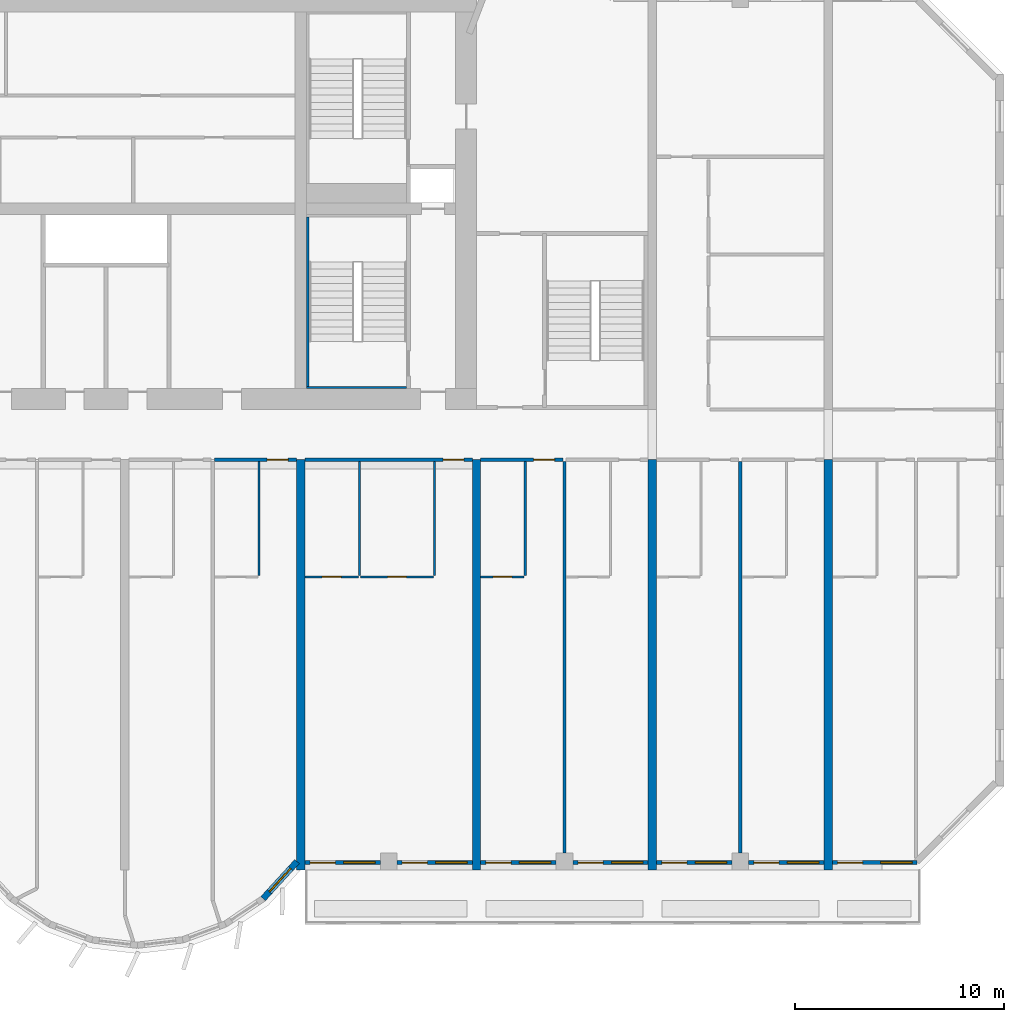
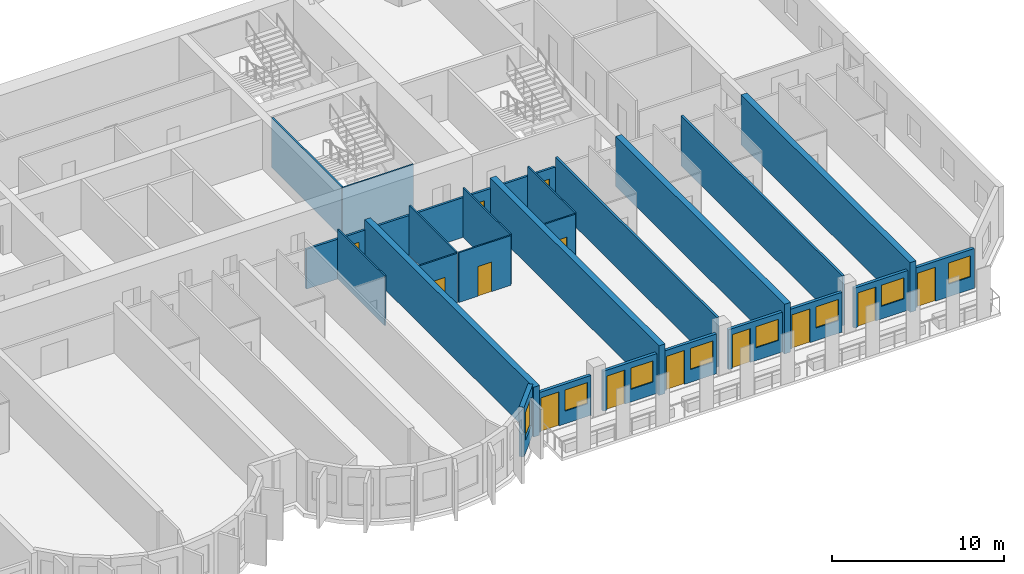
# One storey, part 8 of 14: 26 walls, 13 doors, 8 windows, 21 openings.
"""IFC4 building model written with IfcOpenShell, lengths in metres."""

from ifc_helpers import new_model, si_unit, direction, frame, frame_2d, origin, place, context, subcontext, project, spatial, rectangle, extrude, source, transform, mapped, material, layer, layer_set, type_object, element, fill, save


model = new_model("IFC4")

# Units and contexts
model_context = context("Model", 3, precision=1e-05, world=origin(), true_north=direction((0.0, 1.0)))
body_context = subcontext(model_context, "Body", "Model", "MODEL_VIEW")
ifc_project = project(units=[si_unit("LENGTHUNIT", "METRE"), si_unit("AREAUNIT", "SQUARE_METRE"), si_unit("VOLUMEUNIT", "CUBIC_METRE"), si_unit("PLANEANGLEUNIT", "RADIAN"), si_unit("MASSUNIT", "GRAM", prefix="KILO")], contexts=[model_context])

# Site, building, storey
site_placement = place(None, origin())
site = spatial("IfcSite", under=ifc_project, at=site_placement, CompositionType="ELEMENT")
building_placement = place(site_placement, origin())
building = spatial("IfcBuilding", under=site, at=building_placement, Name="Vanashikhar Sky Hotel", CompositionType="ELEMENT")
storey_placement = place(building_placement, frame((0.0, 0.0, 50.60009765625)))
storey = spatial("IfcBuildingStorey", under=building, at=storey_placement, Name="L11", CompositionType="ELEMENT", Elevation=50.60009765625)

# Walls
ifc_material_1 = material(Name="Concrete M80", Category="concrete")
ifc_layer_1 = layer(ifc_material_1, 0.39990234375)
ifc_layer_set_1 = layer_set([ifc_layer_1], Name="RC shear wall 400 Concrete M80")
wall_type_1 = type_object("IfcWallType", Name="RC shear wall 400 Concrete M80", PredefinedType="SHEAR", material=ifc_layer_set_1)
shared_shape_1 = source(origin(), body_context, "Body", "SweptSolid", [
    extrude(rectangle(XDim=19.60009765625, YDim=0.39990234375, at=frame_2d((9.800048828125, 0.0))), origin(), (0.0, 0.0, 1.0), 3.52001953125),
])
for number, where, z_axis, x_axis, name in (
    (1, (67.199951171875, 0.0, 0.0), (0.0, 0.0, 1.0), (0.0, 1.0, 0.0), "CW-L11-XW09-1"),
    (2, (75.60009765625, 0.0, 0.0), (0.0, 0.0, 1.0), (0.0, 1.0, 0.0), "CW-L11-XW10-1"),
    (3, (84.0, 0.0, 0.0), (0.0, 0.0, 1.0), (0.0, 1.0, 0.0), "CW-L11-XW11-1"),
    (4, (92.39990234375, 0.0, 0.0), (0.0, 0.0, 1.0), (0.0, 1.0, 0.0), "CW-L11-XW12-1"),
):
    element("IfcWall", number, at=place(storey_placement, frame(where, z_axis=z_axis, x_axis=x_axis)), inside=storey, type_object=wall_type_1, Name=name, PredefinedType="SHEAR", context=body_context, shape_type="MappedRepresentation", body=[
        mapped(shared_shape_1, transform((0.0, 0.0, 0.0), scale=1.0)),
    ])

# Wall, opening, window
ifc_material_2 = material(Name="Concrete M50", Category="concrete")
ifc_layer_2 = layer(ifc_material_2, 0.300048828125)
ifc_layer_set_2 = layer_set([ifc_layer_2], Name="Lobe wall 300")
wall_type_2 = type_object("IfcWallType", Name="Lobe wall 300", PredefinedType="SOLIDWALL", material=ifc_layer_set_2)
shared_shape_2 = source(origin(), body_context, "Body", "SweptSolid", [
    extrude(rectangle(XDim=2.398193359375, YDim=0.300048828125, at=frame_2d((1.19921875, 0.0))), origin(), (0.0, 0.0, 1.0), 3.52001953125),
])
wall_1_placement = place(storey_placement, frame((65.404296875, -1.36865234375, 0.0), z_axis=(0.0, 0.0, 1.0), x_axis=(0.675374189419, 0.737475222815, 0.0)))
wall_1 = element("IfcWall", 5, at=wall_1_placement, inside=storey, type_object=wall_type_2, Name="Lobe wall", PredefinedType="SOLIDWALL", context=body_context, shape_type="MappedRepresentation", body=[
    mapped(shared_shape_2, transform((0.0, 0.0, 0.0), scale=1.0)),
])
shared_shape_3 = source(origin(), body_context, "Body", "SweptSolid", [
    extrude(rectangle(XDim=1.5, YDim=2.0, at=frame_2d((0.75, 1.0))), frame((0.0, 0.16015625, 0.0), z_axis=(0.0, -1.0, 0.0), x_axis=(1.0, 0.0, 0.0)), (0.0, 0.0, 1.0), 0.320068359375),
])
opening_1_placement = place(wall_1_placement, frame((0.44921875, 0.0, 0.89990234375)))
opening_1 = element("IfcOpeningElement", 6, at=opening_1_placement, cuts=wall_1, Name="Opening WN-2", PredefinedType="OPENING", context=body_context, shape_type="MappedRepresentation", body=[
    mapped(shared_shape_3, transform((0.0, 0.0, 0.0), scale=1.0)),
])
ifc_material_3 = material(Name="Glass", Category="glass")
window_type_1 = type_object("IfcWindowType", Name="Lobe window 1500 x 2000", PartitioningType="SINGLE_PANEL", PredefinedType="WINDOW", material=ifc_material_3)
shared_shape_4 = source(origin(), body_context, "Body", "SweptSolid", [
    extrude(rectangle(XDim=1.5, YDim=2.0, at=frame_2d((0.75, 1.0))), frame((0.0, 0.030029296875, 0.0), z_axis=(0.0, -1.0, 0.0), x_axis=(1.0, 0.0, 0.0)), (0.0, 0.0, 1.0), 0.06005859375),
])
window_1_placement = place(opening_1_placement, origin())
window_1 = element("IfcWindow", 7, at=window_1_placement, inside=storey, type_object=window_type_1, Name="Window WN-2", OverallHeight=2.0, OverallWidth=1.5, PartitioningType="SINGLE_PANEL", PredefinedType="WINDOW", context=body_context, shape_type="MappedRepresentation", body=[
    mapped(shared_shape_4, transform((0.0, 0.0, 0.0), scale=1.0)),
])
fill(opening_1, window_1)

# Wall, openings, window, door
ifc_layer_3 = layer(ifc_material_2, 0.199951171875)
ifc_layer_set_3 = layer_set([ifc_layer_3], Name="Front window wall 200")
wall_type_3 = type_object("IfcWallType", Name="Front window wall 200", PredefinedType="SOLIDWALL", material=ifc_layer_set_3)
shared_shape_5 = source(origin(), body_context, "Body", "SweptSolid", [
    extrude(rectangle(XDim=4.054931640625, YDim=0.199951171875, at=frame_2d((2.02734375, 0.0))), origin(), (0.0, 0.0, 1.0), 2.81982421875),
])
wall_2_placement = place(storey_placement, frame((92.60009765625, 0.35009765625, 0.0), z_axis=(0.0, 0.0, 1.0), x_axis=(1.0, 0.0, 0.0)))
wall_2 = element("IfcWall", 8, at=wall_2_placement, inside=storey, type_object=wall_type_3, Name="Front window wall", PredefinedType="SOLIDWALL", context=body_context, shape_type="MappedRepresentation", body=[
    mapped(shared_shape_5, transform((0.0, 0.0, 0.0), scale=1.0)),
])
shared_shape_6 = source(origin(), body_context, "Body", "SweptSolid", [
    extrude(rectangle(XDim=1.199951171875, YDim=2.39990234375, at=frame_2d((0.60009765625, 1.199951171875))), frame((0.0, 0.10986328125, 0.0), z_axis=(0.0, -1.0, 0.0), x_axis=(1.0, 0.0, 0.0)), (0.0, 0.0, 1.0), 0.219970703125),
])
opening_2_placement = place(wall_2_placement, frame((0.25, 0.0, 0.0)))
opening_2 = element("IfcOpeningElement", 9, at=opening_2_placement, cuts=wall_2, Name="Opening BD-14", PredefinedType="OPENING", context=body_context, shape_type="MappedRepresentation", body=[
    mapped(shared_shape_6, transform((0.0, 0.0, 0.0), scale=1.0)),
])
shared_shape_7 = source(origin(), body_context, "Body", "SweptSolid", [
    extrude(rectangle(XDim=1.5, YDim=1.5, at=frame_2d((0.75, 0.75))), frame((0.0, 0.10986328125, 0.0), z_axis=(0.0, -1.0, 0.0), x_axis=(1.0, 0.0, 0.0)), (0.0, 0.0, 1.0), 0.219970703125),
])
opening_3_placement = place(wall_2_placement, frame((2.304931640625, 0.0, 0.89990234375)))
opening_3 = element("IfcOpeningElement", 10, at=opening_3_placement, cuts=wall_2, Name="Opening WN-1", PredefinedType="OPENING", context=body_context, shape_type="MappedRepresentation", body=[
    mapped(shared_shape_7, transform((0.0, 0.0, 0.0), scale=1.0)),
])
window_type_2 = type_object("IfcWindowType", Name="Window 1500 x 1500", PartitioningType="SINGLE_PANEL", PredefinedType="WINDOW", material=ifc_material_3)
shared_shape_8 = source(origin(), body_context, "Body", "SweptSolid", [
    extrude(rectangle(XDim=1.5, YDim=1.5, at=frame_2d((0.75, 0.75))), frame((0.0, 0.030029296875, 0.0), z_axis=(0.0, -1.0, 0.0), x_axis=(1.0, 0.0, 0.0)), (0.0, 0.0, 1.0), 0.06005859375),
])
window_2_placement = place(opening_3_placement, origin())
window_2 = element("IfcWindow", 11, at=window_2_placement, inside=storey, type_object=window_type_2, Name="Window WN-1", OverallHeight=1.5, OverallWidth=1.5, PartitioningType="SINGLE_PANEL", PredefinedType="WINDOW", context=body_context, shape_type="MappedRepresentation", body=[
    mapped(shared_shape_8, transform((0.0, 0.0, 0.0), scale=1.0)),
])
fill(opening_3, window_2)
ifc_material_4 = material(Name="Aluminium", Category="aluminium")
door_type_1 = type_object("IfcDoorType", Name="Balcony sliding door 1200 x 2400", OperationType="NOTDEFINED", PredefinedType="DOOR", material=ifc_material_4)
shared_shape_9 = source(origin(), body_context, "Body", "SweptSolid", [
    extrude(rectangle(XDim=1.199951171875, YDim=2.39990234375, at=frame_2d((0.60009765625, 1.199951171875))), frame((0.0, 0.02490234375, 0.0), z_axis=(0.0, -1.0, 0.0), x_axis=(1.0, 0.0, 0.0)), (0.0, 0.0, 1.0), 0.050048828125),
])
door_1_placement = place(opening_2_placement, origin())
door_1 = element("IfcDoor", 12, at=door_1_placement, inside=storey, type_object=door_type_1, Name="Balcony sliding door", OperationType="SLIDING_TO_RIGHT", OverallHeight=2.39990234375, OverallWidth=1.199951171875, PredefinedType="DOOR", context=body_context, shape_type="MappedRepresentation", body=[
    mapped(shared_shape_9, transform((0.0, 0.0, 0.0), scale=1.0)),
])
fill(opening_2, door_1)

shared_shape_10 = source(origin(), body_context, "Body", "SweptSolid", [
    extrude(rectangle(XDim=3.599853515625, YDim=0.199951171875, at=frame_2d((1.7998046875, 0.0))), origin(), (0.0, 0.0, 1.0), 2.81982421875),
])
wall_3_placement = place(storey_placement, frame((71.800048828125, 0.35009765625, 0.0), z_axis=(0.0, 0.0, 1.0), x_axis=(1.0, 0.0, 0.0)))
wall_3 = element("IfcWall", 13, at=wall_3_placement, inside=storey, type_object=wall_type_3, Name="Front window wall", PredefinedType="SOLIDWALL", context=body_context, shape_type="MappedRepresentation", body=[
    mapped(shared_shape_10, transform((0.0, 0.0, 0.0), scale=1.0)),
])
opening_4_placement = place(wall_3_placement, frame((0.25, 0.0, 0.0)))
opening_4 = element("IfcOpeningElement", 14, at=opening_4_placement, cuts=wall_3, Name="Opening BD-09", PredefinedType="OPENING", context=body_context, shape_type="MappedRepresentation", body=[
    mapped(shared_shape_6, transform((0.0, 0.0, 0.0), scale=1.0)),
])
opening_5_placement = place(wall_3_placement, frame((1.85009765625, 0.0, 0.89990234375)))
opening_5 = element("IfcOpeningElement", 15, at=opening_5_placement, cuts=wall_3, Name="Opening WN-1", PredefinedType="OPENING", context=body_context, shape_type="MappedRepresentation", body=[
    mapped(shared_shape_7, transform((0.0, 0.0, 0.0), scale=1.0)),
])
window_3_placement = place(opening_5_placement, origin())
window_3 = element("IfcWindow", 16, at=window_3_placement, inside=storey, type_object=window_type_2, Name="Window WN-1", OverallHeight=1.5, OverallWidth=1.5, PartitioningType="SINGLE_PANEL", PredefinedType="WINDOW", context=body_context, shape_type="MappedRepresentation", body=[
    mapped(shared_shape_8, transform((0.0, 0.0, 0.0), scale=1.0)),
])
fill(opening_5, window_3)
door_2_placement = place(opening_4_placement, origin())
door_2 = element("IfcDoor", 17, at=door_2_placement, inside=storey, type_object=door_type_1, Name="Balcony sliding door", OperationType="SLIDING_TO_LEFT", OverallHeight=2.39990234375, OverallWidth=1.199951171875, PredefinedType="DOOR", context=body_context, shape_type="MappedRepresentation", body=[
    mapped(shared_shape_9, transform((0.0, 0.0, 0.0), scale=1.0)),
])
fill(opening_4, door_2)

wall_4_placement = place(storey_placement, frame((75.800048828125, 0.35009765625, 0.0), z_axis=(0.0, 0.0, 1.0), x_axis=(1.0, 0.0, 0.0)))
wall_4 = element("IfcWall", 18, at=wall_4_placement, inside=storey, type_object=wall_type_3, Name="Front window wall", PredefinedType="SOLIDWALL", context=body_context, shape_type="MappedRepresentation", body=[
    mapped(shared_shape_10, transform((0.0, 0.0, 0.0), scale=1.0)),
])
opening_6_placement = place(wall_4_placement, frame((0.25, 0.0, 0.0)))
opening_6 = element("IfcOpeningElement", 19, at=opening_6_placement, cuts=wall_4, Name="Opening BD-10", PredefinedType="OPENING", context=body_context, shape_type="MappedRepresentation", body=[
    mapped(shared_shape_6, transform((0.0, 0.0, 0.0), scale=1.0)),
])
opening_7_placement = place(wall_4_placement, frame((1.85009765625, 0.0, 0.89990234375)))
opening_7 = element("IfcOpeningElement", 20, at=opening_7_placement, cuts=wall_4, Name="Opening WN-1", PredefinedType="OPENING", context=body_context, shape_type="MappedRepresentation", body=[
    mapped(shared_shape_7, transform((0.0, 0.0, 0.0), scale=1.0)),
])
window_4_placement = place(opening_7_placement, origin())
window_4 = element("IfcWindow", 21, at=window_4_placement, inside=storey, type_object=window_type_2, Name="Window WN-1", OverallHeight=1.5, OverallWidth=1.5, PartitioningType="SINGLE_PANEL", PredefinedType="WINDOW", context=body_context, shape_type="MappedRepresentation", body=[
    mapped(shared_shape_8, transform((0.0, 0.0, 0.0), scale=1.0)),
])
fill(opening_7, window_4)
door_3_placement = place(opening_6_placement, origin())
door_3 = element("IfcDoor", 22, at=door_3_placement, inside=storey, type_object=door_type_1, Name="Balcony sliding door", OperationType="SLIDING_TO_RIGHT", OverallHeight=2.39990234375, OverallWidth=1.199951171875, PredefinedType="DOOR", context=body_context, shape_type="MappedRepresentation", body=[
    mapped(shared_shape_9, transform((0.0, 0.0, 0.0), scale=1.0)),
])
fill(opening_6, door_3)

wall_5_placement = place(storey_placement, frame((88.60009765625, 0.35009765625, 0.0), z_axis=(0.0, 0.0, 1.0), x_axis=(1.0, 0.0, 0.0)))
wall_5 = element("IfcWall", 23, at=wall_5_placement, inside=storey, type_object=wall_type_3, Name="Front window wall", PredefinedType="SOLIDWALL", context=body_context, shape_type="MappedRepresentation", body=[
    mapped(shared_shape_10, transform((0.0, 0.0, 0.0), scale=1.0)),
])
opening_8_placement = place(wall_5_placement, frame((0.25, 0.0, 0.0)))
opening_8 = element("IfcOpeningElement", 24, at=opening_8_placement, cuts=wall_5, Name="Opening BD-13", PredefinedType="OPENING", context=body_context, shape_type="MappedRepresentation", body=[
    mapped(shared_shape_6, transform((0.0, 0.0, 0.0), scale=1.0)),
])
opening_9_placement = place(wall_5_placement, frame((1.85009765625, 0.0, 0.89990234375)))
opening_9 = element("IfcOpeningElement", 25, at=opening_9_placement, cuts=wall_5, Name="Opening WN-1", PredefinedType="OPENING", context=body_context, shape_type="MappedRepresentation", body=[
    mapped(shared_shape_7, transform((0.0, 0.0, 0.0), scale=1.0)),
])
window_5_placement = place(opening_9_placement, origin())
window_5 = element("IfcWindow", 26, at=window_5_placement, inside=storey, type_object=window_type_2, Name="Window WN-1", OverallHeight=1.5, OverallWidth=1.5, PartitioningType="SINGLE_PANEL", PredefinedType="WINDOW", context=body_context, shape_type="MappedRepresentation", body=[
    mapped(shared_shape_8, transform((0.0, 0.0, 0.0), scale=1.0)),
])
fill(opening_9, window_5)
door_4_placement = place(opening_8_placement, origin())
door_4 = element("IfcDoor", 27, at=door_4_placement, inside=storey, type_object=door_type_1, Name="Balcony sliding door", OperationType="SLIDING_TO_LEFT", OverallHeight=2.39990234375, OverallWidth=1.199951171875, PredefinedType="DOOR", context=body_context, shape_type="MappedRepresentation", body=[
    mapped(shared_shape_9, transform((0.0, 0.0, 0.0), scale=1.0)),
])
fill(opening_8, door_4)

shared_shape_11 = source(origin(), body_context, "Body", "SweptSolid", [
    extrude(rectangle(XDim=3.60009765625, YDim=0.199951171875, at=frame_2d((1.800048828125, 0.0))), origin(), (0.0, 0.0, 1.0), 2.81982421875),
])
wall_6_placement = place(storey_placement, frame((67.39990234375, 0.35009765625, 0.0), z_axis=(0.0, 0.0, 1.0), x_axis=(1.0, 0.0, 0.0)))
wall_6 = element("IfcWall", 28, at=wall_6_placement, inside=storey, type_object=wall_type_3, Name="Front window wall", PredefinedType="SOLIDWALL", context=body_context, shape_type="MappedRepresentation", body=[
    mapped(shared_shape_11, transform((0.0, 0.0, 0.0), scale=1.0)),
])
opening_10_placement = place(wall_6_placement, frame((0.25, 0.0, 0.0)))
opening_10 = element("IfcOpeningElement", 29, at=opening_10_placement, cuts=wall_6, Name="Opening BD-08", PredefinedType="OPENING", context=body_context, shape_type="MappedRepresentation", body=[
    mapped(shared_shape_6, transform((0.0, 0.0, 0.0), scale=1.0)),
])
opening_11_placement = place(wall_6_placement, frame((1.85009765625, 0.0, 0.89990234375)))
opening_11 = element("IfcOpeningElement", 30, at=opening_11_placement, cuts=wall_6, Name="Opening WN-1", PredefinedType="OPENING", context=body_context, shape_type="MappedRepresentation", body=[
    mapped(shared_shape_7, transform((0.0, 0.0, 0.0), scale=1.0)),
])
window_6_placement = place(opening_11_placement, origin())
window_6 = element("IfcWindow", 31, at=window_6_placement, inside=storey, type_object=window_type_2, Name="Window WN-1", OverallHeight=1.5, OverallWidth=1.5, PartitioningType="SINGLE_PANEL", PredefinedType="WINDOW", context=body_context, shape_type="MappedRepresentation", body=[
    mapped(shared_shape_8, transform((0.0, 0.0, 0.0), scale=1.0)),
])
fill(opening_11, window_6)
door_5_placement = place(opening_10_placement, origin())
door_5 = element("IfcDoor", 32, at=door_5_placement, inside=storey, type_object=door_type_1, Name="Balcony sliding door", OperationType="SLIDING_TO_RIGHT", OverallHeight=2.39990234375, OverallWidth=1.199951171875, PredefinedType="DOOR", context=body_context, shape_type="MappedRepresentation", body=[
    mapped(shared_shape_9, transform((0.0, 0.0, 0.0), scale=1.0)),
])
fill(opening_10, door_5)

wall_7_placement = place(storey_placement, frame((80.199951171875, 0.35009765625, 0.0), z_axis=(0.0, 0.0, 1.0), x_axis=(1.0, 0.0, 0.0)))
wall_7 = element("IfcWall", 33, at=wall_7_placement, inside=storey, type_object=wall_type_3, Name="Front window wall", PredefinedType="SOLIDWALL", context=body_context, shape_type="MappedRepresentation", body=[
    mapped(shared_shape_11, transform((0.0, 0.0, 0.0), scale=1.0)),
])
opening_12_placement = place(wall_7_placement, frame((0.25, 0.0, 0.0)))
opening_12 = element("IfcOpeningElement", 34, at=opening_12_placement, cuts=wall_7, Name="Opening BD-11", PredefinedType="OPENING", context=body_context, shape_type="MappedRepresentation", body=[
    mapped(shared_shape_6, transform((0.0, 0.0, 0.0), scale=1.0)),
])
opening_13_placement = place(wall_7_placement, frame((1.85009765625, 0.0, 0.89990234375)))
opening_13 = element("IfcOpeningElement", 35, at=opening_13_placement, cuts=wall_7, Name="Opening WN-1", PredefinedType="OPENING", context=body_context, shape_type="MappedRepresentation", body=[
    mapped(shared_shape_7, transform((0.0, 0.0, 0.0), scale=1.0)),
])
window_7_placement = place(opening_13_placement, origin())
window_7 = element("IfcWindow", 36, at=window_7_placement, inside=storey, type_object=window_type_2, Name="Window WN-1", OverallHeight=1.5, OverallWidth=1.5, PartitioningType="SINGLE_PANEL", PredefinedType="WINDOW", context=body_context, shape_type="MappedRepresentation", body=[
    mapped(shared_shape_8, transform((0.0, 0.0, 0.0), scale=1.0)),
])
fill(opening_13, window_7)
door_6_placement = place(opening_12_placement, origin())
door_6 = element("IfcDoor", 37, at=door_6_placement, inside=storey, type_object=door_type_1, Name="Balcony sliding door", OperationType="SLIDING_TO_LEFT", OverallHeight=2.39990234375, OverallWidth=1.199951171875, PredefinedType="DOOR", context=body_context, shape_type="MappedRepresentation", body=[
    mapped(shared_shape_9, transform((0.0, 0.0, 0.0), scale=1.0)),
])
fill(opening_12, door_6)

wall_8_placement = place(storey_placement, frame((84.199951171875, 0.35009765625, 0.0), z_axis=(0.0, 0.0, 1.0), x_axis=(1.0, 0.0, 0.0)))
wall_8 = element("IfcWall", 38, at=wall_8_placement, inside=storey, type_object=wall_type_3, Name="Front window wall", PredefinedType="SOLIDWALL", context=body_context, shape_type="MappedRepresentation", body=[
    mapped(shared_shape_11, transform((0.0, 0.0, 0.0), scale=1.0)),
])
opening_14_placement = place(wall_8_placement, frame((0.25, 0.0, 0.0)))
opening_14 = element("IfcOpeningElement", 39, at=opening_14_placement, cuts=wall_8, Name="Opening BD-12", PredefinedType="OPENING", context=body_context, shape_type="MappedRepresentation", body=[
    mapped(shared_shape_6, transform((0.0, 0.0, 0.0), scale=1.0)),
])
opening_15_placement = place(wall_8_placement, frame((1.85009765625, 0.0, 0.89990234375)))
opening_15 = element("IfcOpeningElement", 40, at=opening_15_placement, cuts=wall_8, Name="Opening WN-1", PredefinedType="OPENING", context=body_context, shape_type="MappedRepresentation", body=[
    mapped(shared_shape_7, transform((0.0, 0.0, 0.0), scale=1.0)),
])
window_8_placement = place(opening_15_placement, origin())
window_8 = element("IfcWindow", 41, at=window_8_placement, inside=storey, type_object=window_type_2, Name="Window WN-1", OverallHeight=1.5, OverallWidth=1.5, PartitioningType="SINGLE_PANEL", PredefinedType="WINDOW", context=body_context, shape_type="MappedRepresentation", body=[
    mapped(shared_shape_8, transform((0.0, 0.0, 0.0), scale=1.0)),
])
fill(opening_15, window_8)
door_7_placement = place(opening_14_placement, origin())
door_7 = element("IfcDoor", 42, at=door_7_placement, inside=storey, type_object=door_type_1, Name="Balcony sliding door", OperationType="SLIDING_TO_RIGHT", OverallHeight=2.39990234375, OverallWidth=1.199951171875, PredefinedType="DOOR", context=body_context, shape_type="MappedRepresentation", body=[
    mapped(shared_shape_9, transform((0.0, 0.0, 0.0), scale=1.0)),
])
fill(opening_14, door_7)

# Walls
ifc_layer_4 = layer(ifc_material_2, 0.10009765625)
ifc_layer_set_4 = layer_set([ifc_layer_4], Name="Stair infill wall 100")
wall_type_4 = type_object("IfcWallType", Name="Stair infill wall 100", PredefinedType="SOLIDWALL", material=ifc_layer_set_4)
shared_shape_12 = source(origin(), body_context, "Body", "SweptSolid", [
    extrude(rectangle(XDim=4.77490234375, YDim=0.10009765625, at=frame_2d((2.387451171875, 0.0))), origin(), (0.0, 0.0, 1.0), 3.52001953125),
])
wall_9_placement = place(storey_placement, frame((67.47509765625, 23.050048828125, 0.0), z_axis=(0.0, 0.0, 1.0), x_axis=(1.0, 0.0, 0.0)))
element("IfcWall", 43, at=wall_9_placement, inside=storey, type_object=wall_type_4, Name="Stair infill wall 100", PredefinedType="SOLIDWALL", context=body_context, shape_type="MappedRepresentation", body=[
    mapped(shared_shape_12, transform((0.0, 0.0, 0.0), scale=1.0)),
])
ifc_layer_5 = layer(ifc_material_2, 0.125)
ifc_layer_set_5 = layer_set([ifc_layer_5], Name="Stair infill wall 125")
wall_type_5 = type_object("IfcWallType", Name="Stair infill wall 125", PredefinedType="SOLIDWALL", material=ifc_layer_set_5)
shared_shape_13 = source(origin(), body_context, "Body", "SweptSolid", [
    extrude(rectangle(XDim=8.099853515625, YDim=0.125, at=frame_2d((4.0498046875, 0.0))), origin(), (0.0, 0.0, 1.0), 3.52001953125),
])
wall_10_placement = place(storey_placement, frame((67.537109375, 23.10009765625, 0.0), z_axis=(0.0, 0.0, 1.0), x_axis=(0.0, 1.0, 0.0)))
element("IfcWall", 44, at=wall_10_placement, inside=storey, type_object=wall_type_5, Name="Stair infill wall 125", PredefinedType="SOLIDWALL", context=body_context, shape_type="MappedRepresentation", body=[
    mapped(shared_shape_13, transform((0.0, 0.0, 0.0), scale=1.0)),
])

# Wall, opening, door
ifc_material_5 = material(Name="Gypsum plasterboard partition")
ifc_layer_6 = layer(ifc_material_5, 0.10009765625)
ifc_layer_set_6 = layer_set([ifc_layer_6], Name="Wet room partition 100")
wall_type_6 = type_object("IfcWallType", Name="Wet room partition 100", PredefinedType="PARTITIONING", material=ifc_layer_set_6)
shared_shape_14 = source(origin(), body_context, "Body", "SweptSolid", [
    extrude(rectangle(XDim=3.5, YDim=0.10009765625, at=frame_2d((1.75, 0.0))), origin(), (0.0, 0.0, 1.0), 3.52001953125),
])
wall_11_placement = place(storey_placement, frame((70.050048828125, 14.0, 0.0), z_axis=(0.0, 0.0, 1.0), x_axis=(1.0, 0.0, 0.0)))
wall_11 = element("IfcWall", 45, at=wall_11_placement, inside=storey, type_object=wall_type_6, Name="W-L11-PW047", PredefinedType="PARTITIONING", context=body_context, shape_type="MappedRepresentation", body=[
    mapped(shared_shape_14, transform((0.0, 0.0, 0.0), scale=1.0)),
])
shared_shape_15 = source(origin(), body_context, "Body", "SweptSolid", [
    extrude(rectangle(XDim=0.89990234375, YDim=2.10009765625, at=frame_2d((0.449951171875, 1.050048828125))), frame((0.0, 0.06005859375, 0.0), z_axis=(0.0, -1.0, 0.0), x_axis=(1.0, 0.0, 0.0)), (0.0, 0.0, 1.0), 0.1201171875),
])
opening_16_placement = place(wall_11_placement, frame((1.300048828125, 0.0, 0.0)))
opening_16 = element("IfcOpeningElement", 46, at=opening_16_placement, cuts=wall_11, Name="Opening D-02", PredefinedType="OPENING", context=body_context, shape_type="MappedRepresentation", body=[
    mapped(shared_shape_15, transform((0.0, 0.0, 0.0), scale=1.0)),
])
ifc_material_6 = material(Name="Timber door", Category="wood")
door_type_2 = type_object("IfcDoorType", Name="Internal door 900", OperationType="NOTDEFINED", PredefinedType="DOOR", material=ifc_material_6)
shared_shape_16 = source(origin(), body_context, "Body", "SweptSolid", [
    extrude(rectangle(XDim=0.89990234375, YDim=2.10009765625, at=frame_2d((0.449951171875, 1.050048828125))), frame((0.0, 0.02490234375, 0.0), z_axis=(0.0, -1.0, 0.0), x_axis=(1.0, 0.0, 0.0)), (0.0, 0.0, 1.0), 0.050048828125),
])
door_8_placement = place(opening_16_placement, origin())
door_8 = element("IfcDoor", 47, at=door_8_placement, inside=storey, type_object=door_type_2, Name="D-L11-027", OperationType="SINGLE_SWING_RIGHT", OverallHeight=2.10009765625, OverallWidth=0.89990234375, PredefinedType="DOOR", context=body_context, shape_type="MappedRepresentation", body=[
    mapped(shared_shape_16, transform((0.0, 0.0, 0.0), scale=1.0)),
])
fill(opening_16, door_8)

shared_shape_17 = source(origin(), body_context, "Body", "SweptSolid", [
    extrude(rectangle(XDim=2.074951171875, YDim=0.10009765625, at=frame_2d((1.03759765625, 0.0))), origin(), (0.0, 0.0, 1.0), 3.52001953125),
])
wall_12_placement = place(storey_placement, frame((75.800048828125, 14.0, 0.0), z_axis=(0.0, 0.0, 1.0), x_axis=(1.0, 0.0, 0.0)))
wall_12 = element("IfcWall", 48, at=wall_12_placement, inside=storey, type_object=wall_type_6, Name="W-L11-PW051", PredefinedType="PARTITIONING", context=body_context, shape_type="MappedRepresentation", body=[
    mapped(shared_shape_17, transform((0.0, 0.0, 0.0), scale=1.0)),
])
opening_17_placement = place(wall_12_placement, frame((0.587890625, 0.0, 0.0)))
opening_17 = element("IfcOpeningElement", 49, at=opening_17_placement, cuts=wall_12, Name="Opening D-02", PredefinedType="OPENING", context=body_context, shape_type="MappedRepresentation", body=[
    mapped(shared_shape_15, transform((0.0, 0.0, 0.0), scale=1.0)),
])
door_9_placement = place(opening_17_placement, origin())
door_9 = element("IfcDoor", 50, at=door_9_placement, inside=storey, type_object=door_type_2, Name="D-L11-030", OperationType="SINGLE_SWING_RIGHT", OverallHeight=2.10009765625, OverallWidth=0.89990234375, PredefinedType="DOOR", context=body_context, shape_type="MappedRepresentation", body=[
    mapped(shared_shape_16, transform((0.0, 0.0, 0.0), scale=1.0)),
])
fill(opening_17, door_9)

# Walls
ifc_layer_7 = layer(ifc_material_5, 0.14990234375)
ifc_layer_set_7 = layer_set([ifc_layer_7], Name="Corridor and demising partition 150")
wall_type_7 = type_object("IfcWallType", Name="Corridor and demising partition 150", PredefinedType="PARTITIONING", material=ifc_layer_set_7)
shared_shape_18 = source(origin(), body_context, "Body", "SweptSolid", [
    extrude(rectangle(XDim=18.724853515625, YDim=0.14990234375, at=frame_2d((9.3623046875, 0.0))), origin(), (0.0, 0.0, 1.0), 3.52001953125),
])
for number, where, z_axis, x_axis, name in (
    (51, (79.800048828125, 0.800048828125, 0.0), (0.0, 0.0, 1.0), (0.0, 1.0, 0.0), "W-L11-PW056"),
    (52, (88.199951171875, 0.800048828125, 0.0), (0.0, 0.0, 1.0), (0.0, 1.0, 0.0), "W-L11-PW063"),
):
    element("IfcWall", number, at=place(storey_placement, frame(where, z_axis=z_axis, x_axis=x_axis)), inside=storey, type_object=wall_type_7, Name=name, PredefinedType="PARTITIONING", context=body_context, shape_type="MappedRepresentation", body=[
        mapped(shared_shape_18, transform((0.0, 0.0, 0.0), scale=1.0)),
    ])

# Wall, opening, door
shared_shape_19 = source(origin(), body_context, "Body", "SweptSolid", [
    extrude(rectangle(XDim=2.550048828125, YDim=0.10009765625, at=frame_2d((1.27490234375, 0.0))), origin(), (0.0, 0.0, 1.0), 3.52001953125),
])
wall_13_placement = place(storey_placement, frame((67.39990234375, 14.0, 0.0), z_axis=(0.0, 0.0, 1.0), x_axis=(1.0, 0.0, 0.0)))
wall_13 = element("IfcWall", 53, at=wall_13_placement, inside=storey, type_object=wall_type_6, Name="W-L11-PW048", PredefinedType="PARTITIONING", context=body_context, shape_type="MappedRepresentation", body=[
    mapped(shared_shape_19, transform((0.0, 0.0, 0.0), scale=1.0)),
])
opening_18_placement = place(wall_13_placement, frame((0.824951171875, 0.0, 0.0)))
opening_18 = element("IfcOpeningElement", 54, at=opening_18_placement, cuts=wall_13, Name="Opening D-02", PredefinedType="OPENING", context=body_context, shape_type="MappedRepresentation", body=[
    mapped(shared_shape_15, transform((0.0, 0.0, 0.0), scale=1.0)),
])
door_10_placement = place(opening_18_placement, origin())
door_10 = element("IfcDoor", 55, at=door_10_placement, inside=storey, type_object=door_type_2, Name="D-L11-028", OperationType="SINGLE_SWING_RIGHT", OverallHeight=2.10009765625, OverallWidth=0.89990234375, PredefinedType="DOOR", context=body_context, shape_type="MappedRepresentation", body=[
    mapped(shared_shape_16, transform((0.0, 0.0, 0.0), scale=1.0)),
])
fill(opening_18, door_10)

# Walls
shared_shape_20 = source(origin(), body_context, "Body", "SweptSolid", [
    extrude(rectangle(XDim=5.449951171875, YDim=0.10009765625, at=frame_2d((2.72509765625, 0.0))), origin(), (0.0, 0.0, 1.0), 3.52001953125),
])
for number, where, z_axis, x_axis, name in (
    (56, (65.199951171875, 14.074951171875, 0.0), (0.0, 0.0, 1.0), (0.0, 1.0, 0.0), "W-L11-PW041"),
    (57, (73.60009765625, 14.074951171875, 0.0), (0.0, 0.0, 1.0), (0.0, 1.0, 0.0), "W-L11-PW045"),
    (58, (70.0, 14.074951171875, 0.0), (0.0, 0.0, 1.0), (0.0, 1.0, 0.0), "W-L11-PW046"),
    (59, (77.925048828125, 14.074951171875, 0.0), (0.0, 0.0, 1.0), (0.0, 1.0, 0.0), "W-L11-PW050"),
):
    element("IfcWall", number, at=place(storey_placement, frame(where, z_axis=z_axis, x_axis=x_axis)), inside=storey, type_object=wall_type_6, Name=name, PredefinedType="PARTITIONING", context=body_context, shape_type="MappedRepresentation", body=[
        mapped(shared_shape_20, transform((0.0, 0.0, 0.0), scale=1.0)),
    ])

# Wall, opening, door
shared_shape_21 = source(origin(), body_context, "Body", "SweptSolid", [
    extrude(rectangle(XDim=3.925048828125, YDim=0.14990234375, at=frame_2d((1.96240234375, 0.0))), origin(), (0.0, 0.0, 1.0), 2.81982421875),
])
wall_14_placement = place(storey_placement, frame((63.074951171875, 19.60009765625, 0.0), z_axis=(0.0, 0.0, 1.0), x_axis=(1.0, 0.0, 0.0)))
wall_14 = element("IfcWall", 60, at=wall_14_placement, inside=storey, type_object=wall_type_7, Name="W-L11-PW043", PredefinedType="PARTITIONING", context=body_context, shape_type="MappedRepresentation", body=[
    mapped(shared_shape_21, transform((0.0, 0.0, 0.0), scale=1.0)),
])
shared_shape_22 = source(origin(), body_context, "Body", "SweptSolid", [
    extrude(rectangle(XDim=1.0, YDim=2.10009765625, at=frame_2d((0.5, 1.050048828125))), frame((0.0, 0.0849609375, 0.0), z_axis=(0.0, -1.0, 0.0), x_axis=(1.0, 0.0, 0.0)), (0.0, 0.0, 1.0), 0.169921875),
])
opening_19_placement = place(wall_14_placement, frame((2.52490234375, 0.0, 0.0)))
opening_19 = element("IfcOpeningElement", 61, at=opening_19_placement, cuts=wall_14, Name="Opening D-01", PredefinedType="OPENING", context=body_context, shape_type="MappedRepresentation", body=[
    mapped(shared_shape_22, transform((0.0, 0.0, 0.0), scale=1.0)),
])
ifc_material_7 = material(Name="Timber fire door", Category="wood")
door_type_3 = type_object("IfcDoorType", Name="Guest entry door 1000 FD30S", OperationType="NOTDEFINED", PredefinedType="DOOR", material=ifc_material_7)
shared_shape_23 = source(origin(), body_context, "Body", "SweptSolid", [
    extrude(rectangle(XDim=1.0, YDim=2.10009765625, at=frame_2d((0.5, 1.050048828125))), frame((0.0, 0.02490234375, 0.0), z_axis=(0.0, -1.0, 0.0), x_axis=(1.0, 0.0, 0.0)), (0.0, 0.0, 1.0), 0.050048828125),
])
door_11_placement = place(opening_19_placement, origin())
door_11 = element("IfcDoor", 62, at=door_11_placement, inside=storey, type_object=door_type_3, Name="D-L11-026", OperationType="SINGLE_SWING_RIGHT", OverallHeight=2.10009765625, OverallWidth=1.0, PredefinedType="DOOR", context=body_context, shape_type="MappedRepresentation", body=[
    mapped(shared_shape_23, transform((0.0, 0.0, 0.0), scale=1.0)),
])
fill(opening_19, door_11)

wall_15_placement = place(storey_placement, frame((75.800048828125, 19.60009765625, 0.0), z_axis=(0.0, 0.0, 1.0), x_axis=(1.0, 0.0, 0.0)))
wall_15 = element("IfcWall", 63, at=wall_15_placement, inside=storey, type_object=wall_type_7, Name="W-L11-PW052", PredefinedType="PARTITIONING", context=body_context, shape_type="MappedRepresentation", body=[
    mapped(shared_shape_21, transform((0.0, 0.0, 0.0), scale=1.0)),
])
opening_20_placement = place(wall_15_placement, frame((2.52490234375, 0.0, 0.0)))
opening_20 = element("IfcOpeningElement", 64, at=opening_20_placement, cuts=wall_15, Name="Opening D-01", PredefinedType="OPENING", context=body_context, shape_type="MappedRepresentation", body=[
    mapped(shared_shape_22, transform((0.0, 0.0, 0.0), scale=1.0)),
])
door_12_placement = place(opening_20_placement, origin())
door_12 = element("IfcDoor", 65, at=door_12_placement, inside=storey, type_object=door_type_3, Name="D-L11-031", OperationType="SINGLE_SWING_RIGHT", OverallHeight=2.10009765625, OverallWidth=1.0, PredefinedType="DOOR", context=body_context, shape_type="MappedRepresentation", body=[
    mapped(shared_shape_23, transform((0.0, 0.0, 0.0), scale=1.0)),
])
fill(opening_20, door_12)

shared_shape_24 = source(origin(), body_context, "Body", "SweptSolid", [
    extrude(rectangle(XDim=8.0, YDim=0.14990234375, at=frame_2d((4.0, 0.0))), origin(), (0.0, 0.0, 1.0), 2.81982421875),
])
wall_16_placement = place(storey_placement, frame((67.39990234375, 19.60009765625, 0.0), z_axis=(0.0, 0.0, 1.0), x_axis=(1.0, 0.0, 0.0)))
wall_16 = element("IfcWall", 66, at=wall_16_placement, inside=storey, type_object=wall_type_7, Name="W-L11-PW049", PredefinedType="PARTITIONING", context=body_context, shape_type="MappedRepresentation", body=[
    mapped(shared_shape_24, transform((0.0, 0.0, 0.0), scale=1.0)),
])
opening_21_placement = place(wall_16_placement, frame((6.60009765625, 0.0, 0.0)))
opening_21 = element("IfcOpeningElement", 67, at=opening_21_placement, cuts=wall_16, Name="Opening D-01", PredefinedType="OPENING", context=body_context, shape_type="MappedRepresentation", body=[
    mapped(shared_shape_22, transform((0.0, 0.0, 0.0), scale=1.0)),
])
door_13_placement = place(opening_21_placement, origin())
door_13 = element("IfcDoor", 68, at=door_13_placement, inside=storey, type_object=door_type_3, Name="D-L11-029", OperationType="SINGLE_SWING_RIGHT", OverallHeight=2.10009765625, OverallWidth=1.0, PredefinedType="DOOR", context=body_context, shape_type="MappedRepresentation", body=[
    mapped(shared_shape_23, transform((0.0, 0.0, 0.0), scale=1.0)),
])
fill(opening_21, door_13)

save(model, "model.ifc")
